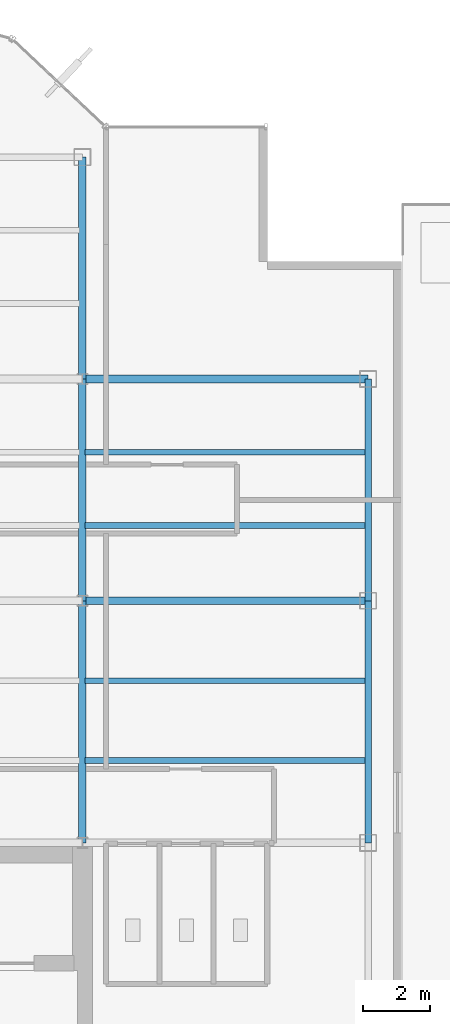
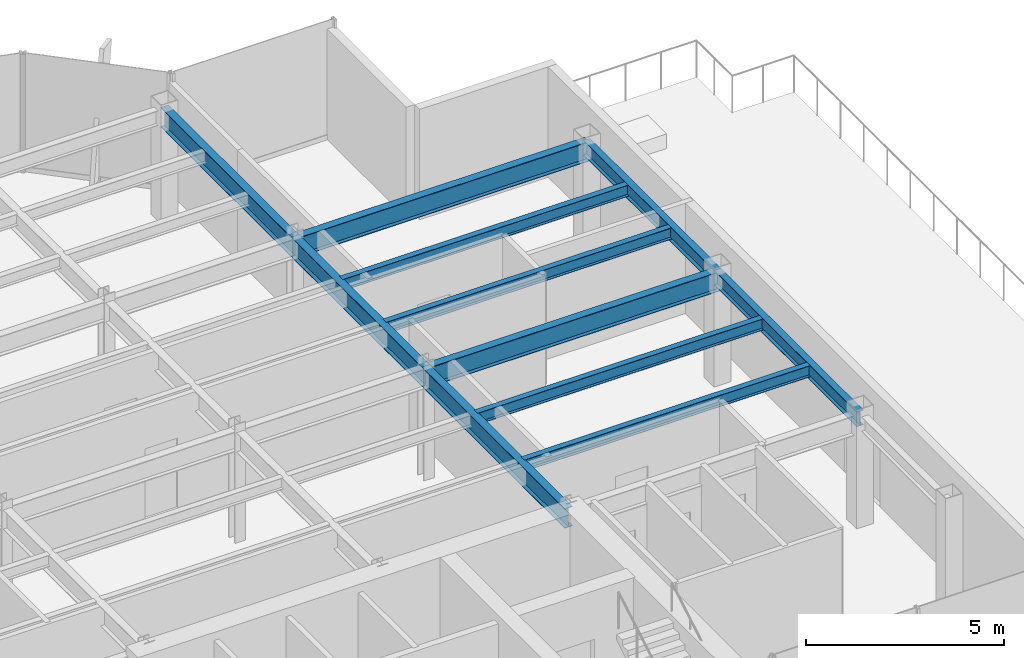
# One storey, part 10 of 21: 11 beams.
"""IFC4 building model written with IfcOpenShell, lengths in metres."""

from ifc_helpers import new_model, si_unit, derived_unit, direction, frame, origin, origin_2d, place, context, subcontext, project, spatial, i_section, extrude, source, transform, mapped, material, material_profile, profile_set, type_object, element, save


model = new_model("IFC4")

# Units and contexts
model_context = context("Model", 3, precision=1e-05, world=origin(), true_north=direction((0.0, 1.0)))
body_context = subcontext(model_context, "Body", "Model", "MODEL_VIEW")
ifc_project = project(units=[si_unit("LENGTHUNIT", "METRE"), si_unit("AREAUNIT", "SQUARE_METRE"), si_unit("VOLUMEUNIT", "CUBIC_METRE"), si_unit("PLANEANGLEUNIT", "RADIAN"), si_unit("MASSUNIT", "GRAM", prefix="KILO"), derived_unit("THERMALTRANSMITTANCEUNIT", [(si_unit("POWERUNIT", "WATT"), 1), (si_unit("LENGTHUNIT", "METRE"), -2), (si_unit("THERMODYNAMICTEMPERATUREUNIT", "KELVIN"), -1)])], contexts=[model_context])

# Site, building, storey
site_placement = place(None, origin())
site = spatial("IfcSite", under=ifc_project, at=site_placement, CompositionType="ELEMENT")
building_placement = place(site_placement, origin())
building = spatial("IfcBuilding", under=site, at=building_placement, Name="Skarnbrae Concourse Arena and Tower", CompositionType="ELEMENT")
storey_placement = place(building_placement, frame((0.0, 0.0, 188.60009765625)))
storey = spatial("IfcBuildingStorey", under=building, at=storey_placement, Name="L48", CompositionType="ELEMENT", Elevation=188.60009765625)

# Beams
ifc_material = material(Name="Steel CSA G40.21 350W", Category="steel")
ifc_material_profile_1 = material_profile(ifc_material, i_section(OverallWidth=0.22802734375, OverallDepth=0.60791015625, WebThickness=0.01123046875, FlangeThickness=0.017333984375, at=origin_2d()), Name="W610X113")
ifc_profile_set_1 = profile_set([ifc_material_profile_1], Name="Steel CSA G40.21 350W")
beam_type_1 = type_object("IfcBeamType", Name="BM-GIRD-W610X113", PredefinedType="BEAM", material=ifc_profile_set_1)
shared_shape_1 = source(origin(), body_context, "Body", "SweptSolid", [
    extrude(i_section(OverallWidth=0.22802734375, OverallDepth=0.60791015625, WebThickness=0.01123046875, FlangeThickness=0.017333984375, at=origin_2d()), origin(), (0.0, 0.0, 1.0), 6.60009765625),
])
beam_1_placement = place(storey_placement, frame((33.5, 21.199951171875, 3.095947265625), z_axis=(0.0, 1.0, 0.0), x_axis=(-1.0, 0.0, 0.0)))
element("IfcBeam", 1, at=beam_1_placement, inside=storey, type_object=beam_type_1, Name="L48 Primary N-S girder X33.5-2", PredefinedType="BEAM", context=body_context, shape_type="MappedRepresentation", body=[
    mapped(shared_shape_1, transform((0.0, 0.0, 0.0))),
])
shared_shape_2 = source(origin(), body_context, "Body", "SweptSolid", [
    extrude(i_section(OverallWidth=0.22802734375, OverallDepth=0.60791015625, WebThickness=0.01123046875, FlangeThickness=0.017333984375, at=origin_2d()), origin(), (0.0, 0.0, 1.0), 8.5),
])
for number, where, z_axis, x_axis, name in (
    (2, (33.5, 21.199951171875, 3.095947265625), (1.0, 0.0, 0.0), (0.0, 1.0, 0.0), "L48 Primary E-W girder Y21.2-6"),
    (3, (33.5, 27.800048828125, 3.095947265625), (1.0, 0.0, 0.0), (0.0, 1.0, 0.0), "L48 Primary E-W girder Y27.8-6"),
):
    element("IfcBeam", number, at=place(storey_placement, frame(where, z_axis=z_axis, x_axis=x_axis)), inside=storey, type_object=beam_type_1, Name=name, PredefinedType="BEAM", context=body_context, shape_type="MappedRepresentation", body=[
        mapped(shared_shape_2, transform((0.0, 0.0, 0.0))),
    ])
ifc_material_profile_2 = material_profile(ifc_material, i_section(OverallWidth=0.19091796875, OverallDepth=0.4599609375, WebThickness=0.010009765625, FlangeThickness=0.01611328125, at=origin_2d()), Name="W460X82")
ifc_profile_set_2 = profile_set([ifc_material_profile_2], Name="Steel CSA G40.21 350W")
beam_type_2 = type_object("IfcBeamType", Name="BM-SPAN-W460X82", PredefinedType="SPANDREL", material=ifc_profile_set_2)
shared_shape_3 = source(origin(), body_context, "Body", "SweptSolid", [
    extrude(i_section(OverallWidth=0.19091796875, OverallDepth=0.4599609375, WebThickness=0.010009765625, FlangeThickness=0.01611328125, at=origin_2d()), origin(), (0.0, 0.0, 1.0), 7.199951171875),
])
beam_2_placement = place(storey_placement, frame((42.0, 14.0, 3.169921875), z_axis=(0.0, 1.0, 0.0), x_axis=(-1.0, 0.0, 0.0)))
element("IfcBeam", 4, at=beam_2_placement, inside=storey, type_object=beam_type_2, Name="L48 Perimeter spandrel X42.0-2", PredefinedType="SPANDREL", context=body_context, shape_type="MappedRepresentation", body=[
    mapped(shared_shape_3, transform((0.0, 0.0, 0.0))),
])
shared_shape_4 = source(origin(), body_context, "Body", "SweptSolid", [
    extrude(i_section(OverallWidth=0.19091796875, OverallDepth=0.4599609375, WebThickness=0.010009765625, FlangeThickness=0.01611328125, at=origin_2d()), origin(), (0.0, 0.0, 1.0), 6.60009765625),
])
beam_3_placement = place(storey_placement, frame((42.0, 21.199951171875, 3.169921875), z_axis=(0.0, 1.0, 0.0), x_axis=(-1.0, 0.0, 0.0)))
element("IfcBeam", 5, at=beam_3_placement, inside=storey, type_object=beam_type_2, Name="L48 Perimeter spandrel X42.0-3", PredefinedType="SPANDREL", context=body_context, shape_type="MappedRepresentation", body=[
    mapped(shared_shape_4, transform((0.0, 0.0, 0.0))),
])
shared_shape_5 = source(origin(), body_context, "Body", "SweptSolid", [
    extrude(i_section(OverallWidth=0.22802734375, OverallDepth=0.60791015625, WebThickness=0.01123046875, FlangeThickness=0.017333984375, at=origin_2d()), origin(), (0.0, 0.0, 1.0), 7.199951171875),
])
beam_4_placement = place(storey_placement, frame((33.5, 14.0, 3.095947265625), z_axis=(0.0, 1.0, 0.0), x_axis=(-1.0, 0.0, 0.0)))
element("IfcBeam", 6, at=beam_4_placement, inside=storey, type_object=beam_type_1, Name="L48 Primary N-S girder X33.5-1", PredefinedType="BEAM", context=body_context, shape_type="MappedRepresentation", body=[
    mapped(shared_shape_5, transform((0.0, 0.0, 0.0))),
])
shared_shape_6 = source(origin(), body_context, "Body", "SweptSolid", [
    extrude(i_section(OverallWidth=0.22802734375, OverallDepth=0.60791015625, WebThickness=0.01123046875, FlangeThickness=0.017333984375, at=origin_2d()), origin(), (0.0, 0.0, 1.0), 6.599853515625),
])
beam_5_placement = place(storey_placement, frame((33.5, 27.800048828125, 3.095947265625), z_axis=(0.0, 1.0, 0.0), x_axis=(-1.0, 0.0, 0.0)))
element("IfcBeam", 7, at=beam_5_placement, inside=storey, type_object=beam_type_1, Name="L48 Primary N-S girder X33.5-3", PredefinedType="BEAM", context=body_context, shape_type="MappedRepresentation", body=[
    mapped(shared_shape_6, transform((0.0, 0.0, 0.0))),
])
ifc_material_profile_3 = material_profile(ifc_material, i_section(OverallWidth=0.1708984375, OverallDepth=0.35498046875, WebThickness=0.007080078125, FlangeThickness=0.01171875, at=origin_2d()), Name="W360X51")
ifc_profile_set_3 = profile_set([ifc_material_profile_3], Name="Steel CSA G40.21 350W")
beam_type_3 = type_object("IfcBeamType", Name="BM-JOIST-W360X51", PredefinedType="JOIST", material=ifc_profile_set_3)
shared_shape_7 = source(origin(), body_context, "Body", "SweptSolid", [
    extrude(i_section(OverallWidth=0.1708984375, OverallDepth=0.35498046875, WebThickness=0.007080078125, FlangeThickness=0.01171875, at=origin_2d()), origin(), (0.0, 0.0, 1.0), 8.33984375),
])
for number, where, z_axis, x_axis, name in (
    (8, (33.580078125, 16.447998046875, 3.222412109375), (1.0, 0.0, 0.0), (0.0, 1.0, 0.0), "L48 Secondary floor joist 1.1.6"),
    (9, (33.580078125, 18.823974609375, 3.222412109375), (1.0, 0.0, 0.0), (0.0, 1.0, 0.0), "L48 Secondary floor joist 1.2.6"),
    (10, (33.580078125, 23.444091796875, 3.222412109375), (1.0, 0.0, 0.0), (0.0, 1.0, 0.0), "L48 Secondary floor joist 2.1.6"),
    (11, (33.580078125, 25.6220703125, 3.222412109375), (1.0, 0.0, 0.0), (0.0, 1.0, 0.0), "L48 Secondary floor joist 2.2.6"),
):
    element("IfcBeam", number, at=place(storey_placement, frame(where, z_axis=z_axis, x_axis=x_axis)), inside=storey, type_object=beam_type_3, Name=name, PredefinedType="JOIST", context=body_context, shape_type="MappedRepresentation", body=[
        mapped(shared_shape_7, transform((0.0, 0.0, 0.0))),
    ])

save(model, "model.ifc")
